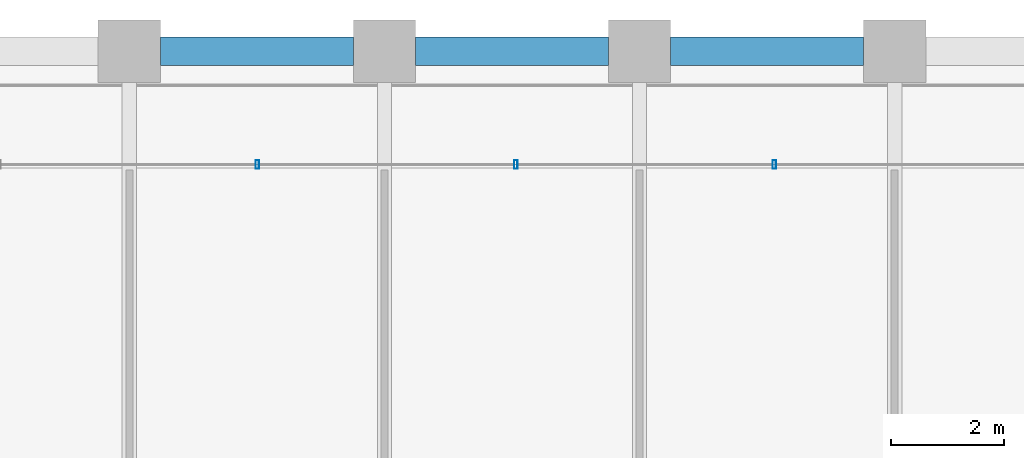
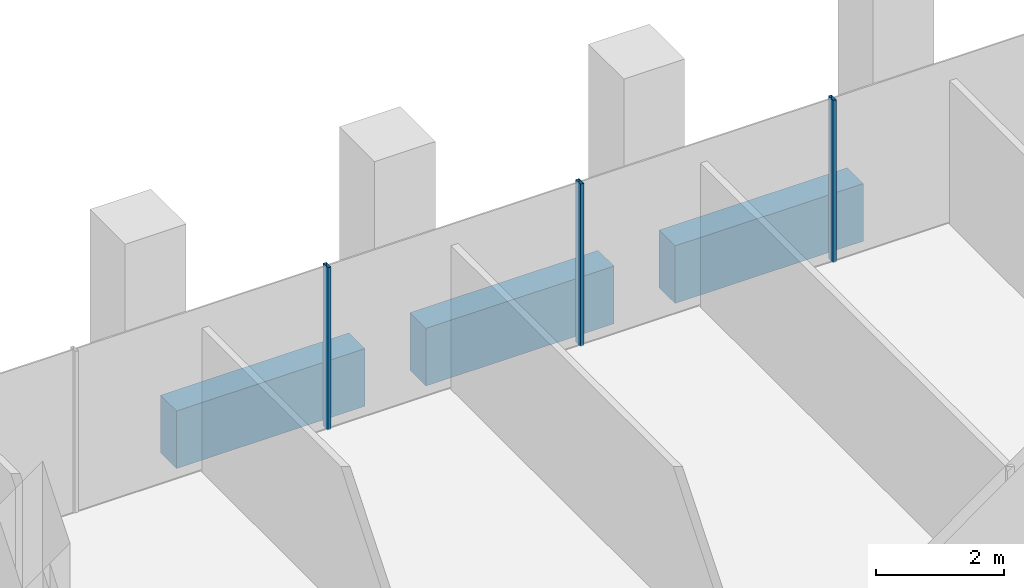
# One storey, part 29 of 56: 3 beams, 3 members, 1 element without a shape of its own.
"""IFC4 building model written with IfcOpenShell, lengths in metres."""

from ifc_helpers import new_model, si_unit, direction, frame, origin, origin_2d, place, context, subcontext, project, spatial, rectangle, hollow_rectangle, extrude, material, material_profile, profile_set, type_object, element, aggregate, save


model = new_model("IFC4")

# Units and contexts
model_context = context("Model", 3, precision=1e-05, world=origin(), true_north=direction((0.0, 1.0)))
body_context = subcontext(model_context, "Body", "Model", "MODEL_VIEW")
ifc_project = project(units=[si_unit("LENGTHUNIT", "METRE"), si_unit("AREAUNIT", "SQUARE_METRE"), si_unit("VOLUMEUNIT", "CUBIC_METRE"), si_unit("PLANEANGLEUNIT", "RADIAN"), si_unit("MASSUNIT", "GRAM", prefix="KILO")], contexts=[model_context])

# Site, building, storey
site_placement = place(None, origin())
site = spatial("IfcSite", under=ifc_project, at=site_placement, CompositionType="ELEMENT")
building_placement = place(site_placement, origin())
building = spatial("IfcBuilding", under=site, at=building_placement, Name="Altepetl Exchange Towers", CompositionType="ELEMENT")
storey_placement = place(building_placement, frame((0.0, 0.0, 72.60009765625)))
storey = spatial("IfcBuildingStorey", under=building, at=storey_placement, Name="L17", CompositionType="ELEMENT", Elevation=72.60009765625)

# Curtain wall, members
ifc_material_1 = material(Name="Aluminium 6063-T6 glazing", Category="aluminium")
curtain_wall_type = type_object("IfcCurtainWallType", Name="Loggia glazing system", PredefinedType="NOTDEFINED", material=ifc_material_1)
curtain_wall_placement = place(storey_placement, origin())
curtain_wall = element("IfcCurtainWall", 1, at=curtain_wall_placement, inside=storey, type_object=curtain_wall_type, Name="CW1 run", PredefinedType="NOTDEFINED")
ifc_material_2 = material(Name="Aluminium 6063-T6", Category="aluminium")
ifc_material_profile_1 = material_profile(ifc_material_2, hollow_rectangle(XDim=0.06005859375, YDim=0.14990234375, WallThickness=0.0029296875, at=origin_2d()), Name="Mullion 60x150 aluminium")
ifc_profile_set_1 = profile_set([ifc_material_profile_1], Name="Aluminium 6063-T6")
member_type = type_object("IfcMemberType", Name="Mullion 60x150 aluminium", PredefinedType="MULLION", material=ifc_profile_set_1)
member_1_placement = place(storey_placement, frame((56.378662109375, 70.0, 0.0), z_axis=(0.0, 0.0, 1.0), x_axis=(-1.0, 0.0, 0.0)))
member_1 = element("IfcMember", 2, at=member_1_placement, type_object=member_type, Name="MU1 mullion", PredefinedType="MULLION", context=body_context, shape_type="SweptSolid", body=[
    extrude(hollow_rectangle(XDim=0.06005859375, YDim=0.14990234375, WallThickness=0.0029296875, at=origin_2d()), origin(), (0.0, 0.0, 1.0), 3.099853515625),
])
member_2_placement = place(storey_placement, frame((51.81787109375, 70.0, 0.0), z_axis=(0.0, 0.0, 1.0), x_axis=(-1.0, 0.0, 0.0)))
member_2 = element("IfcMember", 3, at=member_2_placement, type_object=member_type, Name="MU1 mullion", PredefinedType="MULLION", context=body_context, shape_type="SweptSolid", body=[
    extrude(hollow_rectangle(XDim=0.06005859375, YDim=0.14990234375, WallThickness=0.0029296875, at=origin_2d()), origin(), (0.0, 0.0, 1.0), 3.099853515625),
])
member_3_placement = place(storey_placement, frame((47.257080078125, 70.0, 0.0), z_axis=(0.0, 0.0, 1.0), x_axis=(-1.0, 0.0, 0.0)))
member_3 = element("IfcMember", 4, at=member_3_placement, type_object=member_type, Name="MU1 mullion", PredefinedType="MULLION", context=body_context, shape_type="SweptSolid", body=[
    extrude(hollow_rectangle(XDim=0.06005859375, YDim=0.14990234375, WallThickness=0.0029296875, at=origin_2d()), origin(), (0.0, 0.0, 1.0), 3.099853515625),
])
aggregate(curtain_wall, [member_1, member_2, member_3])

# Beams
ifc_material_3 = material(Name="Concrete C50/60 precast with cantera rosa facing", Category="concrete")
ifc_material_profile_2 = material_profile(ifc_material_3, rectangle(XDim=0.5, YDim=1.10009765625, at=origin_2d()), Name="500 x 1100")
ifc_profile_set_2 = profile_set([ifc_material_profile_2], Name="Concrete C50/60 precast with cantera rosa facing")
beam_type = type_object("IfcBeamType", Name="Spandrel beam 500x1100 cantera rosa", PredefinedType="SPANDREL", material=ifc_profile_set_2)
for number, where, z_axis, x_axis, name in (
    (5, (57.949951171875, 72.0, -0.7001953125), (-1.0, 0.0, 0.0), (0.0, -1.0, 0.0), "sp:A:L17:026"),
    (6, (53.449951171875, 72.0, -0.7001953125), (-1.0, 0.0, 0.0), (0.0, -1.0, 0.0), "sp:A:L17:027"),
    (7, (48.949951171875, 72.0, -0.7001953125), (-1.0, 0.0, 0.0), (0.0, -1.0, 0.0), "sp:A:L17:028"),
):
    element("IfcBeam", number, at=place(storey_placement, frame(where, z_axis=z_axis, x_axis=x_axis)), inside=storey, type_object=beam_type, Name=name, PredefinedType="SPANDREL", context=body_context, shape_type="SweptSolid", body=[
        extrude(rectangle(XDim=0.5, YDim=1.10009765625, at=origin_2d()), origin(), (0.0, 0.0, 1.0), 3.39990234375),
    ])

save(model, "model.ifc")
